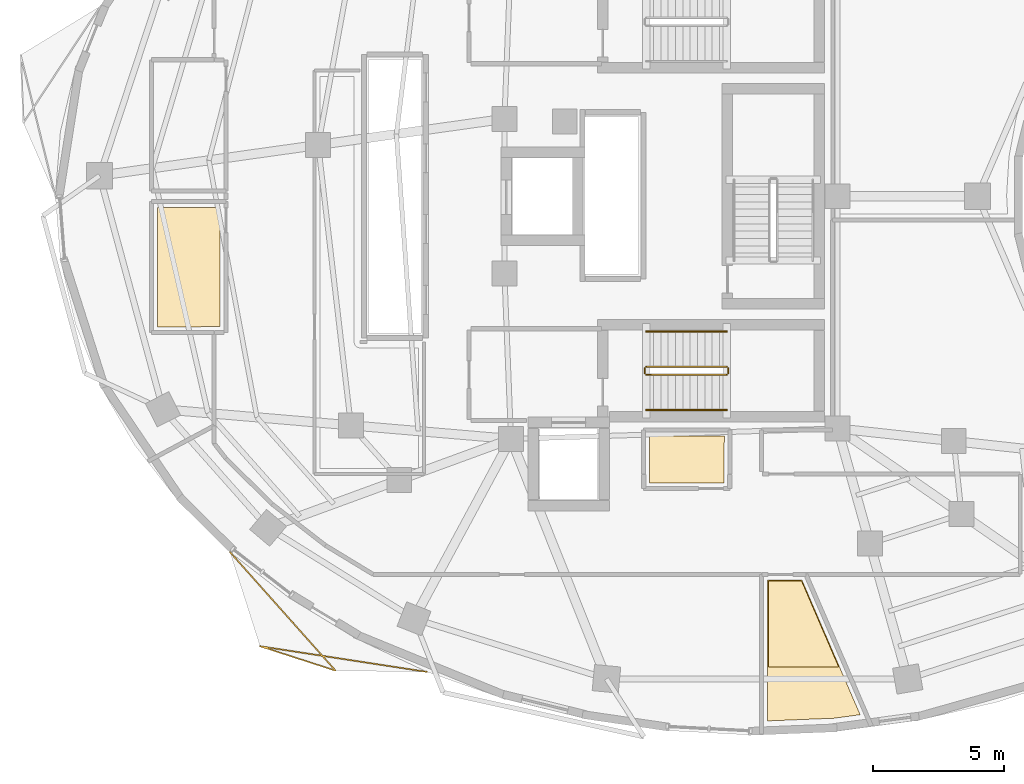
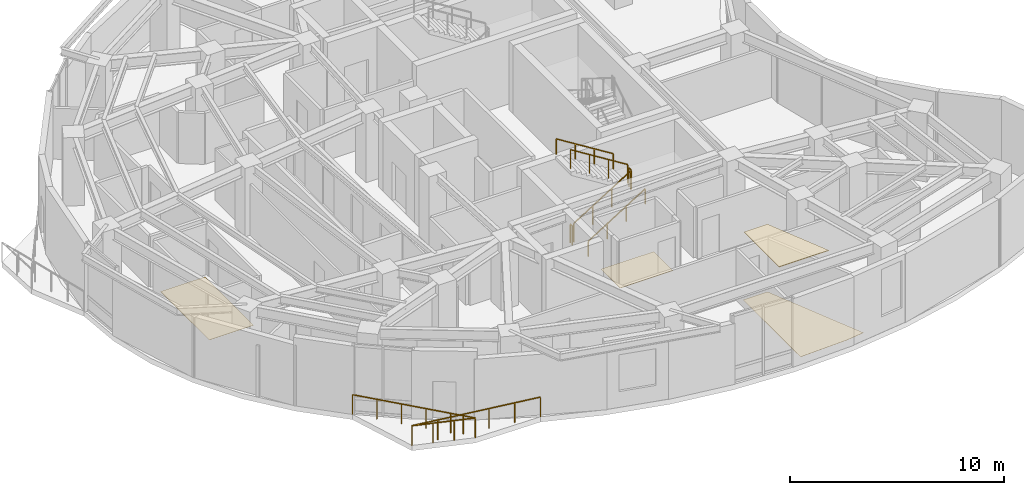
# One storey, part 11 of 13: 7 railings, 4 coverings.
"""IFC4 building model written with IfcOpenShell, lengths in metres."""

from ifc_helpers import new_model, si_unit, direction, frame, origin, origin_2d, place, context, subcontext, project, spatial, polyline, rectangle, outline, extrude, material, layer, layer_set, type_object, element, save


model = new_model("IFC4")

# Units and contexts
model_context = context("Model", 3, precision=1e-05, world=origin(), true_north=direction((0.0, 1.0)))
body_context = subcontext(model_context, "Body", "Model", "MODEL_VIEW")
ifc_project = project(units=[si_unit("LENGTHUNIT", "METRE"), si_unit("AREAUNIT", "SQUARE_METRE"), si_unit("VOLUMEUNIT", "CUBIC_METRE"), si_unit("PLANEANGLEUNIT", "RADIAN"), si_unit("MASSUNIT", "GRAM", prefix="KILO")], contexts=[model_context])

# Site, building, storey
site_placement = place(None, origin())
site = spatial("IfcSite", under=ifc_project, at=site_placement, CompositionType="ELEMENT")
building_placement = place(site_placement, origin())
building = spatial("IfcBuilding", under=site, at=building_placement, Name="Korentha Bioscience Tower", CompositionType="ELEMENT")
storey_placement = place(building_placement, frame((0.0, 0.0, 171.0)))
storey = spatial("IfcBuildingStorey", under=building, at=storey_placement, Name="L39", CompositionType="ELEMENT", Elevation=171.0)

# Railings
ifc_material_1 = material(Name="Stainless Steel 304", Category="steel")
railing_type_1 = type_object("IfcRailingType", Name="Brushed Stainless Stair Handrail 900", PredefinedType="HANDRAIL", material=ifc_material_1)
railing_1_placement = place(storey_placement, frame((30.25, 18.85009765625, 0.175048828125)))
element("IfcRailing", 1, at=railing_1_placement, inside=storey, type_object=railing_type_1, Name="L39 ST-2 stair handrail 1", PredefinedType="HANDRAIL", context=body_context, shape_type="SweptSolid", body=[
    extrude(rectangle(XDim=0.048095703125, YDim=0.048095703125, at=origin_2d()), frame((0.0, 0.0, 0.8759765625), z_axis=(0.847998304005, 0.0, 0.529998940003), x_axis=(0.0, 1.0, 0.0)), (0.0, 0.0, 1.0), 3.632080078125),
    extrude(rectangle(XDim=0.0419921875, YDim=0.0419921875, at=origin_2d()), origin(), (0.0, 0.0, 1.0), 0.851806640625),
    extrude(rectangle(XDim=0.0419921875, YDim=0.0419921875, at=origin_2d()), frame((1.026611328125, 0.0, 0.6416015625)), (0.0, 0.0, 1.0), 0.851806640625),
    extrude(rectangle(XDim=0.0419921875, YDim=0.0419921875, at=origin_2d()), frame((2.053466796875, 0.0, 1.283447265625)), (0.0, 0.0, 1.0), 0.851806640625),
    extrude(rectangle(XDim=0.0419921875, YDim=0.0419921875, at=origin_2d()), frame((3.080078125, 0.0, 1.925048828125)), (0.0, 0.0, 1.0), 0.851806640625),
])
railing_2_placement = place(storey_placement, frame((33.330078125, 21.85009765625, 2.27490234375)))
element("IfcRailing", 2, at=railing_2_placement, inside=storey, type_object=railing_type_1, Name="L39 ST-2 stair handrail 2", PredefinedType="HANDRAIL", context=body_context, shape_type="SweptSolid", body=[
    extrude(rectangle(XDim=0.048095703125, YDim=0.048095703125, at=origin_2d()), frame((0.0, 0.0, 0.8759765625), z_axis=(-0.847998304005, 0.0, 0.529998940003), x_axis=(0.0, -1.0, 0.0)), (0.0, 0.0, 1.0), 3.632080078125),
    extrude(rectangle(XDim=0.0419921875, YDim=0.0419921875, at=origin_2d()), origin(), (0.0, 0.0, 1.0), 0.851806640625),
    extrude(rectangle(XDim=0.0419921875, YDim=0.0419921875, at=origin_2d()), frame((-1.026611328125, 0.0, 0.6416015625)), (0.0, 0.0, 1.0), 0.851806640625),
    extrude(rectangle(XDim=0.0419921875, YDim=0.0419921875, at=origin_2d()), frame((-2.053466796875, 0.0, 1.283447265625)), (0.0, 0.0, 1.0), 0.851806640625),
    extrude(rectangle(XDim=0.0419921875, YDim=0.0419921875, at=origin_2d()), frame((-3.080078125, 0.0, 1.925048828125)), (0.0, 0.0, 1.0), 0.851806640625),
])
ifc_material_2 = material(Name="Laminated Tempered Safety Glass", Category="glass")
railing_type_2 = type_object("IfcRailingType", Name="Laminated Glass Balcony Guardrail 1150", PredefinedType="BALUSTRADE", material=ifc_material_2)
railing_3_placement = place(storey_placement, frame((14.390380859375, 13.43994140625, 0.0)))
element("IfcRailing", 3, at=railing_3_placement, inside=storey, type_object=railing_type_2, Name="L39 Balcony Guardrail 03", PredefinedType="BALUSTRADE", context=body_context, shape_type="SweptSolid", body=[
    extrude(rectangle(XDim=0.048095703125, YDim=0.048095703125, at=origin_2d()), frame((0.0, 0.0, 1.1259765625), z_axis=(0.665026961632, -0.746819349175, 0.0), x_axis=(0.746819349175, 0.665026961632, 0.0)), (0.0, 0.0, 1.0), 6.05322265625),
    extrude(rectangle(XDim=0.048095703125, YDim=0.048095703125, at=origin_2d()), frame((4.025634765625, -4.520751953125, 1.1259765625), z_axis=(-0.951451462682, 0.307798820922, 0.0), x_axis=(-0.307798820922, -0.951451462682, 0.0)), (0.0, 0.0, 1.0), 3.0283203125),
    extrude(rectangle(XDim=0.048095703125, YDim=0.048095703125, at=origin_2d()), frame((1.144287109375, -3.588623046875, 1.1259765625), z_axis=(0.988382201104, -0.151988896113, 0.0), x_axis=(0.151988896113, 0.988382201104, 0.0)), (0.0, 0.0, 1.0), 6.44775390625),
    extrude(rectangle(XDim=0.0419921875, YDim=0.0419921875, at=origin_2d()), origin(), (0.0, 0.0, 1.0), 1.101806640625),
    extrude(rectangle(XDim=0.0419921875, YDim=0.0419921875, at=origin_2d()), frame((0.80517578125, -0.904052734375, 0.0)), (0.0, 0.0, 1.0), 1.101806640625),
    extrude(rectangle(XDim=0.0419921875, YDim=0.0419921875, at=origin_2d()), frame((1.6103515625, -1.808349609375, 0.0)), (0.0, 0.0, 1.0), 1.101806640625),
    extrude(rectangle(XDim=0.0419921875, YDim=0.0419921875, at=origin_2d()), frame((2.415283203125, -2.71240234375, 0.0)), (0.0, 0.0, 1.0), 1.101806640625),
    extrude(rectangle(XDim=0.0419921875, YDim=0.0419921875, at=origin_2d()), frame((3.220458984375, -3.61669921875, 0.0)), (0.0, 0.0, 1.0), 1.101806640625),
    extrude(rectangle(XDim=0.0419921875, YDim=0.0419921875, at=origin_2d()), frame((4.025634765625, -4.520751953125, 0.0)), (0.0, 0.0, 1.0), 1.101806640625),
    extrude(rectangle(XDim=0.0419921875, YDim=0.0419921875, at=origin_2d()), frame((3.065185546875, -4.2099609375, 0.0)), (0.0, 0.0, 1.0), 1.101806640625),
    extrude(rectangle(XDim=0.0419921875, YDim=0.0419921875, at=origin_2d()), frame((2.104736328125, -3.8994140625, 0.0)), (0.0, 0.0, 1.0), 1.101806640625),
    extrude(rectangle(XDim=0.0419921875, YDim=0.0419921875, at=origin_2d()), frame((1.144287109375, -3.588623046875, 0.0)), (0.0, 0.0, 1.0), 1.101806640625),
    extrude(rectangle(XDim=0.0419921875, YDim=0.0419921875, at=origin_2d()), frame((2.4189453125, -3.78466796875, 0.0)), (0.0, 0.0, 1.0), 1.101806640625),
    extrude(rectangle(XDim=0.0419921875, YDim=0.0419921875, at=origin_2d()), frame((3.693359375, -3.980712890625, 0.0)), (0.0, 0.0, 1.0), 1.101806640625),
    extrude(rectangle(XDim=0.0419921875, YDim=0.0419921875, at=origin_2d()), frame((4.968017578125, -4.176513671875, 0.0)), (0.0, 0.0, 1.0), 1.101806640625),
    extrude(rectangle(XDim=0.0419921875, YDim=0.0419921875, at=origin_2d()), frame((6.242431640625, -4.37255859375, 0.0)), (0.0, 0.0, 1.0), 1.101806640625),
    extrude(rectangle(XDim=0.0419921875, YDim=0.0419921875, at=origin_2d()), frame((7.51708984375, -4.568603515625, 0.0)), (0.0, 0.0, 1.0), 1.101806640625),
])

# Covering
ifc_material_3 = material(Name="Antimicrobial Mineral Fibre Board", Category="gypsum")
ifc_layer_1 = layer(ifc_material_3, 0.034912109375, Name="Antimicrobial Mineral Fibre Board")
ifc_layer_set_1 = layer_set([ifc_layer_1], Name="Antimicrobial Mineral Fibre Board (CL-MF35)")
covering_type_1 = type_object("IfcCoveringType", Name="Mineral-Fibre Cleanroom Suspended Ceiling 35", PredefinedType="CEILING", material=ifc_layer_set_1)
covering_1_placement = place(storey_placement, frame((0.0, 0.0, 3.864990234375)))
element("IfcCovering", 4, at=covering_1_placement, inside=storey, type_object=covering_type_1, Name="L39 Biospecimen Archive Store 03 Acoustic Ceiling", PredefinedType="CEILING", context=body_context, shape_type="SweptSolid", body=[
    extrude(outline(polyline([(37.58740234375, 9.064208984375), (34.907958984375, 9.0654296875), (34.907958984375, 12.340087890625), (36.173583984375, 12.340087890625), (37.58740234375, 9.064208984375)])), origin(), (0.0, 0.0, 1.0), 0.034912109375),
])

# Railings
ifc_material_4 = material(Name="Painted Steel S275", Category="steel")
railing_type_3 = type_object("IfcRailingType", Name="Painted Steel Stair Well Guardrail 1100", PredefinedType="GUARDRAIL", material=ifc_material_4)
railing_4_placement = place(storey_placement, frame((30.25, 20.199951171875, 0.175048828125)))
element("IfcRailing", 5, at=railing_4_placement, inside=storey, type_object=railing_type_3, Name="L39 ST-2 stair guard 1", PredefinedType="GUARDRAIL", context=body_context, shape_type="SweptSolid", body=[
    extrude(rectangle(XDim=0.048095703125, YDim=0.048095703125, at=origin_2d()), frame((0.0, 0.0, 1.076171875), z_axis=(0.847998304005, 0.0, 0.529998940003), x_axis=(0.0, 1.0, 0.0)), (0.0, 0.0, 1.0), 3.632080078125),
    extrude(rectangle(XDim=0.0419921875, YDim=0.0419921875, at=origin_2d()), origin(), (0.0, 0.0, 1.0), 1.052001953125),
    extrude(rectangle(XDim=0.0419921875, YDim=0.0419921875, at=origin_2d()), frame((1.026611328125, 0.0, 0.6416015625)), (0.0, 0.0, 1.0), 1.052001953125),
    extrude(rectangle(XDim=0.0419921875, YDim=0.0419921875, at=origin_2d()), frame((2.053466796875, 0.0, 1.283447265625)), (0.0, 0.0, 1.0), 1.052001953125),
    extrude(rectangle(XDim=0.0419921875, YDim=0.0419921875, at=origin_2d()), frame((3.080078125, 0.0, 1.925048828125)), (0.0, 0.0, 1.0), 1.052001953125),
])
railing_5_placement = place(storey_placement, frame((33.3798828125, 20.25, 2.10009765625)))
element("IfcRailing", 6, at=railing_5_placement, inside=storey, type_object=railing_type_3, Name="L39 ST-2 stair guard 2", PredefinedType="GUARDRAIL", context=body_context, shape_type="SweptSolid", body=[
    extrude(rectangle(XDim=0.048095703125, YDim=0.048095703125, at=origin_2d()), frame((0.0, 0.0, 1.076171875), z_axis=(0.0, 1.0, 0.0), x_axis=(-1.0, 0.0, 0.0)), (0.0, 0.0, 1.0), 0.199951171875),
    extrude(rectangle(XDim=0.0419921875, YDim=0.0419921875, at=origin_2d()), origin(), (0.0, 0.0, 1.0), 1.052001953125),
    extrude(rectangle(XDim=0.0419921875, YDim=0.0419921875, at=origin_2d()), frame((0.0, 0.199951171875, 0.0)), (0.0, 0.0, 1.0), 1.052001953125),
])
railing_6_placement = place(storey_placement, frame((33.330078125, 20.5, 2.27490234375)))
element("IfcRailing", 7, at=railing_6_placement, inside=storey, type_object=railing_type_3, Name="L39 ST-2 stair guard 3", PredefinedType="GUARDRAIL", context=body_context, shape_type="SweptSolid", body=[
    extrude(rectangle(XDim=0.048095703125, YDim=0.048095703125, at=origin_2d()), frame((0.0, 0.0, 1.076171875), z_axis=(-0.847998304005, 0.0, 0.529998940003), x_axis=(0.0, -1.0, 0.0)), (0.0, 0.0, 1.0), 3.632080078125),
    extrude(rectangle(XDim=0.0419921875, YDim=0.0419921875, at=origin_2d()), origin(), (0.0, 0.0, 1.0), 1.052001953125),
    extrude(rectangle(XDim=0.0419921875, YDim=0.0419921875, at=origin_2d()), frame((-1.026611328125, 0.0, 0.6416015625)), (0.0, 0.0, 1.0), 1.052001953125),
    extrude(rectangle(XDim=0.0419921875, YDim=0.0419921875, at=origin_2d()), frame((-2.053466796875, 0.0, 1.283447265625)), (0.0, 0.0, 1.0), 1.052001953125),
    extrude(rectangle(XDim=0.0419921875, YDim=0.0419921875, at=origin_2d()), frame((-3.080078125, 0.0, 1.925048828125)), (0.0, 0.0, 1.0), 1.052001953125),
])
railing_7_placement = place(storey_placement, frame((30.199951171875, 20.25, 0.0)))
element("IfcRailing", 8, at=railing_7_placement, inside=storey, type_object=railing_type_3, Name="L39 ST-2 stair guard 4", PredefinedType="GUARDRAIL", context=body_context, shape_type="SweptSolid", body=[
    extrude(rectangle(XDim=0.048095703125, YDim=0.048095703125, at=origin_2d()), frame((0.0, 0.0, 1.076171875), z_axis=(0.0, 1.0, 0.0), x_axis=(-1.0, 0.0, 0.0)), (0.0, 0.0, 1.0), 0.199951171875),
    extrude(rectangle(XDim=0.0419921875, YDim=0.0419921875, at=origin_2d()), origin(), (0.0, 0.0, 1.0), 1.052001953125),
    extrude(rectangle(XDim=0.0419921875, YDim=0.0419921875, at=origin_2d()), frame((0.0, 0.199951171875, 0.0)), (0.0, 0.0, 1.0), 1.052001953125),
])

# Coverings
ifc_material_5 = material(Name="Chemical-Resistant Epoxy Resin", Category="polymer")
ifc_layer_2 = layer(ifc_material_5, 0.011962890625, Name="Chemical-Resistant Epoxy Resin")
ifc_layer_set_2 = layer_set([ifc_layer_2], Name="Chemical-Resistant Epoxy Resin (FL-EPX)")
covering_type_2 = type_object("IfcCoveringType", Name="Seamless Epoxy Laboratory Flooring 12", PredefinedType="FLOORING", material=ifc_layer_set_2)
covering_2_placement = place(storey_placement, origin())
element("IfcCovering", 9, at=covering_2_placement, inside=storey, type_object=covering_type_2, Name="L39 Core Instrumentation and Gas Store Floor Finish", PredefinedType="FLOORING", context=body_context, shape_type="SweptSolid", body=[
    extrude(outline(polyline([(33.22998046875, 17.8701171875), (33.219970703125, 16.080078125), (30.3798828125, 16.080078125), (30.371337890625, 17.8701171875), (33.22998046875, 17.8701171875)])), origin(), (0.0, 0.0, 1.0), 0.011962890625),
])
covering_3_placement = place(storey_placement, origin())
element("IfcCovering", 10, at=covering_3_placement, inside=storey, type_object=covering_type_2, Name="L39 Reclaimed Bank-1 Cold Freezer Alcove Floor Finish", PredefinedType="FLOORING", context=body_context, shape_type="SweptSolid", body=[
    extrude(outline(polyline([(14.02001953125, 22.030029296875), (11.6201171875, 22.02099609375), (11.6201171875, 26.580078125), (14.02001953125, 26.580078125), (14.02001953125, 22.030029296875)])), origin(), (0.0, 0.0, 1.0), 0.011962890625),
])
covering_4_placement = place(storey_placement, origin())
element("IfcCovering", 11, at=covering_4_placement, inside=storey, type_object=covering_type_2, Name="L39 Biospecimen Archive Store 03 Floor Finish", PredefinedType="FLOORING", context=body_context, shape_type="SweptSolid", body=[
    extrude(outline(polyline([(34.8779296875, 12.3701171875), (36.193359375, 12.3701171875), (38.406982421875, 7.240966796875), (37.40185546875, 7.106201171875), (34.8779296875, 7.004638671875), (34.8779296875, 12.3701171875)])), origin(), (0.0, 0.0, 1.0), 0.011962890625),
])

save(model, "model.ifc")
